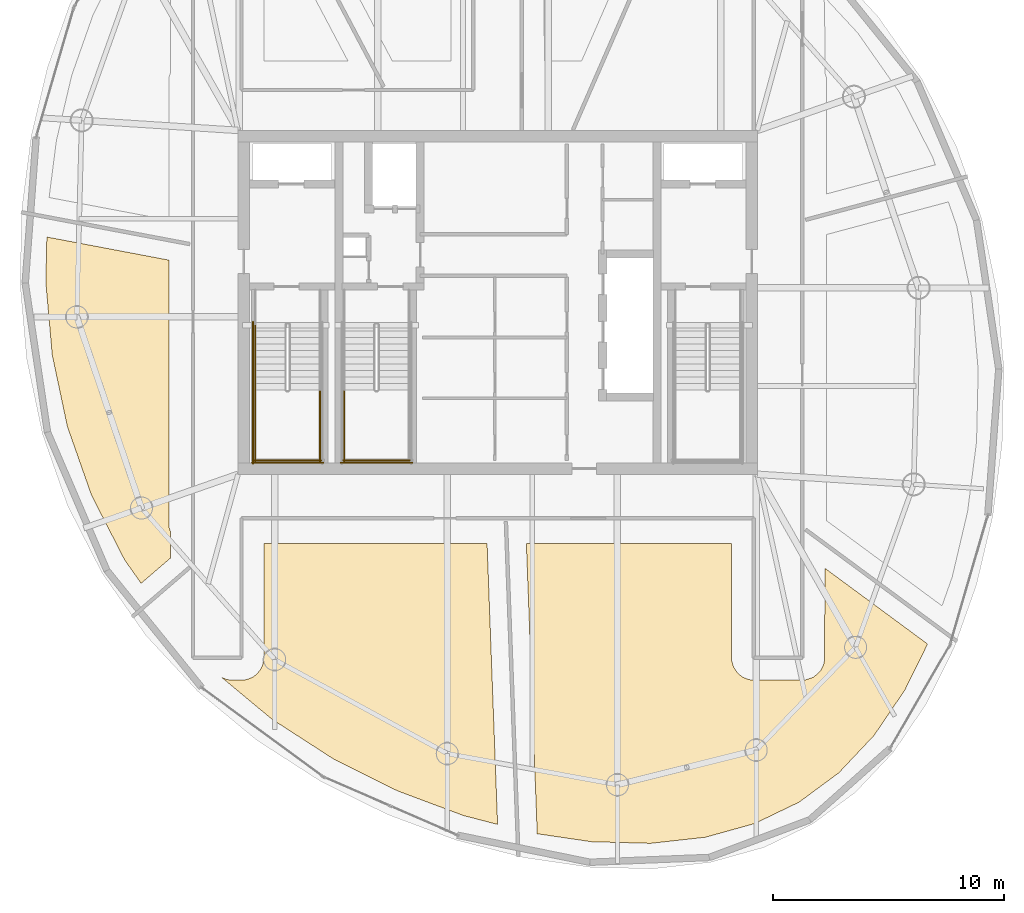
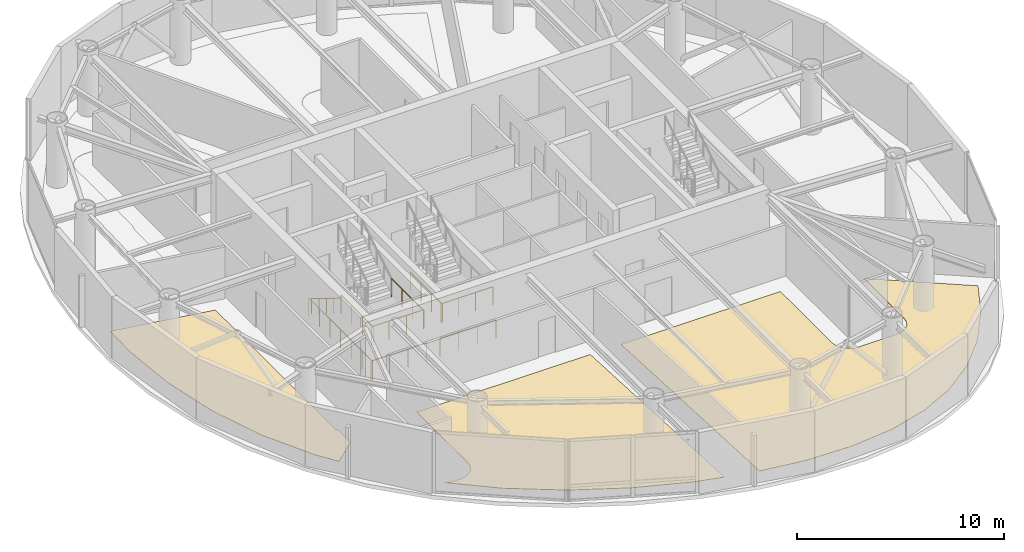
# One storey, part 18 of 20: 9 railings, 3 coverings.
"""IFC4 building model written with IfcOpenShell, lengths in metres."""

from ifc_helpers import new_model, si_unit, direction, frame, origin, origin_2d, place, context, subcontext, project, spatial, polyline, circle, outline, extrude, material, layer, layer_set, type_object, element, save


model = new_model("IFC4")

# Units and contexts
model_context = context("Model", 3, precision=1e-05, world=origin(), true_north=direction((0.0, 1.0)))
body_context = subcontext(model_context, "Body", "Model", "MODEL_VIEW")
ifc_project = project(units=[si_unit("LENGTHUNIT", "METRE"), si_unit("AREAUNIT", "SQUARE_METRE"), si_unit("VOLUMEUNIT", "CUBIC_METRE"), si_unit("PLANEANGLEUNIT", "RADIAN"), si_unit("MASSUNIT", "GRAM", prefix="KILO")], contexts=[model_context])

# Site, building, storey
site_placement = place(None, origin())
site = spatial("IfcSite", under=ifc_project, at=site_placement, CompositionType="ELEMENT")
building_placement = place(site_placement, origin())
building = spatial("IfcBuilding", under=site, at=building_placement, Name="Bramvorn Convention Spire", CompositionType="ELEMENT")
storey_placement = place(building_placement, frame((0.0, 0.0, 269.0)))
storey = spatial("IfcBuildingStorey", under=building, at=storey_placement, Name="L68", CompositionType="ELEMENT", Elevation=269.0)

# Coverings
ifc_material_1 = material(Name="Honed Dolomitic Limestone Terrazzo Flooring", Category="masonry")
ifc_layer = layer(ifc_material_1, 0.02490234375)
ifc_layer_set = layer_set([ifc_layer], Name="Honed Dolomitic Limestone Terrazzo Flooring - FLR-TERRAZZO-25")
covering_type = type_object("IfcCoveringType", Name="FLR-TERRAZZO-25", PredefinedType="FLOORING", material=ifc_layer_set)
covering_1_placement = place(storey_placement, origin())
element("IfcCovering", 1, at=covering_1_placement, inside=storey, type_object=covering_type, Name="L68 C-Suite Meeting Boardroom 4 raised floor finish", PredefinedType="FLOORING", context=body_context, shape_type="SweptSolid", body=[
    extrude(outline(polyline([(21.834228515625, 14.8466796875), (22.55078125, 13.826416015625), (23.830078125, 14.927001953125), (23.830078125, 16.04248046875), (23.766357421875, 16.234130859375), (23.75, 16.39990234375), (23.75, 27.831298828125), (18.46728515625, 28.830810546875), (18.4228515625, 26.86669921875), (18.701416015625, 23.720947265625), (19.35546875, 20.62451171875), (20.39990234375, 17.64697265625), (21.834228515625, 14.8466796875)])), origin(), (0.0, 0.0, 1.0), 0.02490234375),
])
covering_2_placement = place(storey_placement, origin())
element("IfcCovering", 2, at=covering_2_placement, inside=storey, type_object=covering_type, Name="L68 Managing Director Office 5 raised floor finish", PredefinedType="FLOORING", context=body_context, shape_type="SweptSolid", body=[
    extrude(outline(polyline([(28.222900390625, 7.936767578125), (30.875732421875, 6.22314453125), (33.668701171875, 4.83056640625), (36.517822265625, 3.765869140625), (37.99560546875, 3.3818359375), (37.540283203125, 15.550048828125), (27.8701171875, 15.550048828125), (27.8701171875, 10.60009765625), (27.815185546875, 10.27880859375), (27.728759765625, 10.09619140625), (27.5556640625, 9.88525390625), (27.3935546875, 9.76513671875), (27.141357421875, 9.66064453125), (26.941650390625, 9.631103515625), (26.45068359375, 9.631591796875), (26.26123046875, 9.6611328125), (26.044189453125, 9.74755859375), (28.222900390625, 7.936767578125)])), origin(), (0.0, 0.0, 1.0), 0.02490234375),
])
covering_3_placement = place(storey_placement, origin())
element("IfcCovering", 3, at=covering_3_placement, inside=storey, type_object=covering_type, Name="L68 Reception Gallery 6 raised floor finish", PredefinedType="FLOORING", context=body_context, shape_type="SweptSolid", body=[
    extrude(outline(polyline([(42.0654296875, 2.630615234375), (44.630615234375, 2.56201171875), (46.994873046875, 2.825439453125), (49.137939453125, 3.42041015625), (51.061279296875, 4.34814453125), (52.779052734375, 5.61669921875), (54.3046875, 7.235107421875), (55.640380859375, 9.20361328125), (56.624755859375, 11.197998046875), (52.169921875, 14.485595703125), (52.1689453125, 10.558349609375), (52.114990234375, 10.27880859375), (51.982421875, 10.027099609375), (51.693603515625, 9.76513671875), (51.33642578125, 9.639892578125), (49.10009765625, 9.6298828125), (48.8701171875, 9.65771484375), (48.6064453125, 9.76513671875), (48.38525390625, 9.9443359375), (48.220703125, 10.190673828125), (48.139892578125, 10.46337890625), (48.1298828125, 15.550048828125), (39.24169921875, 15.550048828125), (39.7119140625, 2.9775390625), (42.0654296875, 2.630615234375)])), origin(), (0.0, 0.0, 1.0), 0.02490234375),
])

# Railings
ifc_material_2 = material(Name="Painted Steel Balustrade & Guardrail", Category="steel")
railing_type_1 = type_object("IfcRailingType", Name="RL-STAIR-GUARD-1100", PredefinedType="GUARDRAIL", material=ifc_material_2)
for number, where, name in (
    (4, (27.5, 22.199951171875, 1.925048828125), "L68 ST1 stair guard 3"),
    (5, (30.300048828125, 22.199951171875, 1.925048828125), "L68 ST1 stair guard 4"),
):
    element("IfcRailing", number, at=place(storey_placement, frame(where)), inside=storey, type_object=railing_type_1, Name=name, PredefinedType="GUARDRAIL", context=body_context, shape_type="SweptSolid", body=[
        extrude(circle(Radius=0.02392578125, at=origin_2d()), frame((0.0, 0.0, 1.076171875), z_axis=(0.0, -1.0, 0.0), x_axis=(1.0, 0.0, 0.0)), (0.0, 0.0, 1.0), 3.099853515625),
        extrude(circle(Radius=0.02099609375, at=origin_2d()), origin(), (0.0, 0.0, 1.0), 1.052001953125),
        extrude(circle(Radius=0.02099609375, at=origin_2d()), frame((0.0, -1.033203125, 0.0)), (0.0, 0.0, 1.0), 1.052001953125),
        extrude(circle(Radius=0.02099609375, at=origin_2d()), frame((0.0, -2.066650390625, 0.0)), (0.0, 0.0, 1.0), 1.052001953125),
        extrude(circle(Radius=0.02099609375, at=origin_2d()), frame((0.0, -3.099853515625, 0.0)), (0.0, 0.0, 1.0), 1.052001953125),
    ])
railing_1_placement = place(storey_placement, frame((27.449951171875, 19.14990234375, 1.925048828125)))
element("IfcRailing", 6, at=railing_1_placement, inside=storey, type_object=railing_type_1, Name="L68 ST1 stair guard 5", PredefinedType="GUARDRAIL", context=body_context, shape_type="SweptSolid", body=[
    extrude(circle(Radius=0.02392578125, at=origin_2d()), frame((0.0, 0.0, 1.076171875), z_axis=(1.0, 0.0, 0.0), x_axis=(0.0, 1.0, 0.0)), (0.0, 0.0, 1.0), 2.900146484375),
    extrude(circle(Radius=0.02099609375, at=origin_2d()), origin(), (0.0, 0.0, 1.0), 1.052001953125),
    extrude(circle(Radius=0.02099609375, at=origin_2d()), frame((0.966796875, 0.0, 0.0)), (0.0, 0.0, 1.0), 1.052001953125),
    extrude(circle(Radius=0.02099609375, at=origin_2d()), frame((1.933349609375, 0.0, 0.0)), (0.0, 0.0, 1.0), 1.052001953125),
    extrude(circle(Radius=0.02099609375, at=origin_2d()), frame((2.900146484375, 0.0, 0.0)), (0.0, 0.0, 1.0), 1.052001953125),
])
railing_2_placement = place(storey_placement, frame((27.39990234375, 25.14990234375, 0.0)))
element("IfcRailing", 7, at=railing_2_placement, inside=storey, type_object=railing_type_1, Name="L68 ST1 stair guard 10", PredefinedType="GUARDRAIL", context=body_context, shape_type="SweptSolid", body=[
    extrude(circle(Radius=0.02392578125, at=origin_2d()), frame((0.0, 0.0, 1.076171875), z_axis=(0.0, -1.0, 0.0), x_axis=(1.0, 0.0, 0.0)), (0.0, 0.0, 1.0), 6.14990234375),
    extrude(circle(Radius=0.02099609375, at=origin_2d()), origin(), (0.0, 0.0, 1.0), 1.052001953125),
    extrude(circle(Radius=0.02099609375, at=origin_2d()), frame((0.0, -1.02490234375, 0.0)), (0.0, 0.0, 1.0), 1.052001953125),
    extrude(circle(Radius=0.02099609375, at=origin_2d()), frame((0.0, -2.050048828125, 0.0)), (0.0, 0.0, 1.0), 1.052001953125),
    extrude(circle(Radius=0.02099609375, at=origin_2d()), frame((0.0, -3.074951171875, 0.0)), (0.0, 0.0, 1.0), 1.052001953125),
    extrude(circle(Radius=0.02099609375, at=origin_2d()), frame((0.0, -4.099853515625, 0.0)), (0.0, 0.0, 1.0), 1.052001953125),
    extrude(circle(Radius=0.02099609375, at=origin_2d()), frame((0.0, -5.125, 0.0)), (0.0, 0.0, 1.0), 1.052001953125),
    extrude(circle(Radius=0.02099609375, at=origin_2d()), frame((0.0, -6.14990234375, 0.0)), (0.0, 0.0, 1.0), 1.052001953125),
])
railing_3_placement = place(storey_placement, frame((27.35009765625, 19.050048828125, 0.0)))
element("IfcRailing", 8, at=railing_3_placement, inside=storey, type_object=railing_type_1, Name="L68 ST1 stair guard 12", PredefinedType="GUARDRAIL", context=body_context, shape_type="SweptSolid", body=[
    extrude(circle(Radius=0.02392578125, at=origin_2d()), frame((0.0, 0.0, 1.076171875), z_axis=(1.0, 0.0, 0.0), x_axis=(0.0, 1.0, 0.0)), (0.0, 0.0, 1.0), 3.099853515625),
    extrude(circle(Radius=0.02099609375, at=origin_2d()), origin(), (0.0, 0.0, 1.0), 1.052001953125),
    extrude(circle(Radius=0.02099609375, at=origin_2d()), frame((1.033203125, 0.0, 0.0)), (0.0, 0.0, 1.0), 1.052001953125),
    extrude(circle(Radius=0.02099609375, at=origin_2d()), frame((2.066650390625, 0.0, 0.0)), (0.0, 0.0, 1.0), 1.052001953125),
    extrude(circle(Radius=0.02099609375, at=origin_2d()), frame((3.099853515625, 0.0, 0.0)), (0.0, 0.0, 1.0), 1.052001953125),
])
railing_4_placement = place(storey_placement, frame((31.35009765625, 22.199951171875, 1.925048828125)))
element("IfcRailing", 9, at=railing_4_placement, inside=storey, type_object=railing_type_1, Name="L68 ST3 stair guard 3", PredefinedType="GUARDRAIL", context=body_context, shape_type="SweptSolid", body=[
    extrude(circle(Radius=0.02392578125, at=origin_2d()), frame((0.0, 0.0, 1.076171875), z_axis=(0.0, -1.0, 0.0), x_axis=(1.0, 0.0, 0.0)), (0.0, 0.0, 1.0), 3.099853515625),
    extrude(circle(Radius=0.02099609375, at=origin_2d()), origin(), (0.0, 0.0, 1.0), 1.052001953125),
    extrude(circle(Radius=0.02099609375, at=origin_2d()), frame((0.0, -1.033203125, 0.0)), (0.0, 0.0, 1.0), 1.052001953125),
    extrude(circle(Radius=0.02099609375, at=origin_2d()), frame((0.0, -2.066650390625, 0.0)), (0.0, 0.0, 1.0), 1.052001953125),
    extrude(circle(Radius=0.02099609375, at=origin_2d()), frame((0.0, -3.099853515625, 0.0)), (0.0, 0.0, 1.0), 1.052001953125),
])
railing_5_placement = place(storey_placement, frame((31.300048828125, 19.14990234375, 1.925048828125)))
element("IfcRailing", 10, at=railing_5_placement, inside=storey, type_object=railing_type_1, Name="L68 ST3 stair guard 5", PredefinedType="GUARDRAIL", context=body_context, shape_type="SweptSolid", body=[
    extrude(circle(Radius=0.02392578125, at=origin_2d()), frame((0.0, 0.0, 1.076171875), z_axis=(1.0, 0.0, 0.0), x_axis=(0.0, 1.0, 0.0)), (0.0, 0.0, 1.0), 2.89990234375),
    extrude(circle(Radius=0.02099609375, at=origin_2d()), origin(), (0.0, 0.0, 1.0), 1.052001953125),
    extrude(circle(Radius=0.02099609375, at=origin_2d()), frame((0.966552734375, 0.0, 0.0)), (0.0, 0.0, 1.0), 1.052001953125),
    extrude(circle(Radius=0.02099609375, at=origin_2d()), frame((1.933349609375, 0.0, 0.0)), (0.0, 0.0, 1.0), 1.052001953125),
    extrude(circle(Radius=0.02099609375, at=origin_2d()), frame((2.89990234375, 0.0, 0.0)), (0.0, 0.0, 1.0), 1.052001953125),
])
railing_6_placement = place(storey_placement, frame((31.199951171875, 19.050048828125, 0.0)))
element("IfcRailing", 11, at=railing_6_placement, inside=storey, type_object=railing_type_1, Name="L68 ST3 stair guard 12", PredefinedType="GUARDRAIL", context=body_context, shape_type="SweptSolid", body=[
    extrude(circle(Radius=0.02392578125, at=origin_2d()), frame((0.0, 0.0, 1.076171875), z_axis=(1.0, 0.0, 0.0), x_axis=(0.0, 1.0, 0.0)), (0.0, 0.0, 1.0), 3.10009765625),
    extrude(circle(Radius=0.02099609375, at=origin_2d()), origin(), (0.0, 0.0, 1.0), 1.052001953125),
    extrude(circle(Radius=0.02099609375, at=origin_2d()), frame((1.033447265625, 0.0, 0.0)), (0.0, 0.0, 1.0), 1.052001953125),
    extrude(circle(Radius=0.02099609375, at=origin_2d()), frame((2.066650390625, 0.0, 0.0)), (0.0, 0.0, 1.0), 1.052001953125),
    extrude(circle(Radius=0.02099609375, at=origin_2d()), frame((3.10009765625, 0.0, 0.0)), (0.0, 0.0, 1.0), 1.052001953125),
])
ifc_material_3 = material(Name="Brushed Bronze Tubular Handrail", Category="aluminium")
railing_type_2 = type_object("IfcRailingType", Name="RL-STAIR-HR-920", PredefinedType="HANDRAIL", material=ifc_material_3)
railing_7_placement = place(storey_placement, frame((27.5, 25.050048828125, 0.175048828125)))
element("IfcRailing", 12, at=railing_7_placement, inside=storey, type_object=railing_type_2, Name="L68 ST1 stair handrail 1", PredefinedType="HANDRAIL", context=body_context, shape_type="SweptSolid", body=[
    extrude(circle(Radius=0.02392578125, at=origin_2d()), frame((0.0, 0.0, 0.89599609375), z_axis=(0.0, -0.852179220489, 0.52325001306), x_axis=(1.0, 0.0, 0.0)), (0.0, 0.0, 1.0), 3.344482421875),
    extrude(circle(Radius=0.02099609375, at=origin_2d()), origin(), (0.0, 0.0, 1.0), 0.871826171875),
    extrude(circle(Radius=0.02099609375, at=origin_2d()), frame((0.0, -0.71240234375, 0.4375)), (0.0, 0.0, 1.0), 0.871826171875),
    extrude(circle(Radius=0.02099609375, at=origin_2d()), frame((0.0, -1.425048828125, 0.875)), (0.0, 0.0, 1.0), 0.871826171875),
    extrude(circle(Radius=0.02099609375, at=origin_2d()), frame((0.0, -2.1376953125, 1.3125)), (0.0, 0.0, 1.0), 0.871826171875),
    extrude(circle(Radius=0.02099609375, at=origin_2d()), frame((0.0, -2.85009765625, 1.75)), (0.0, 0.0, 1.0), 0.871826171875),
])

save(model, "model.ifc")
